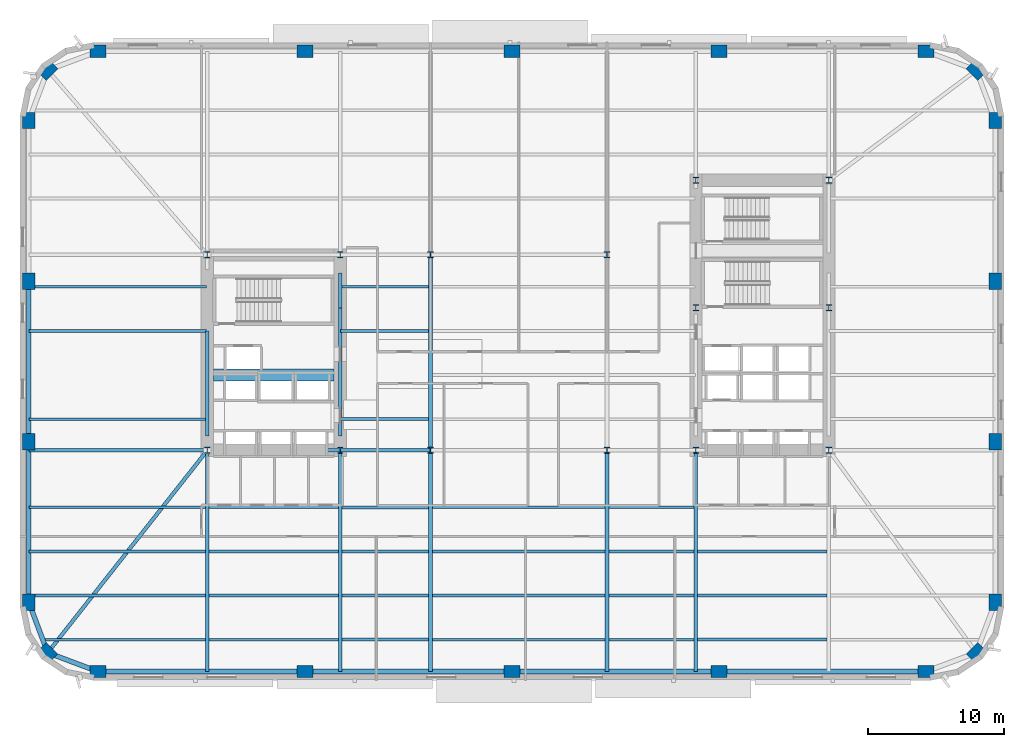
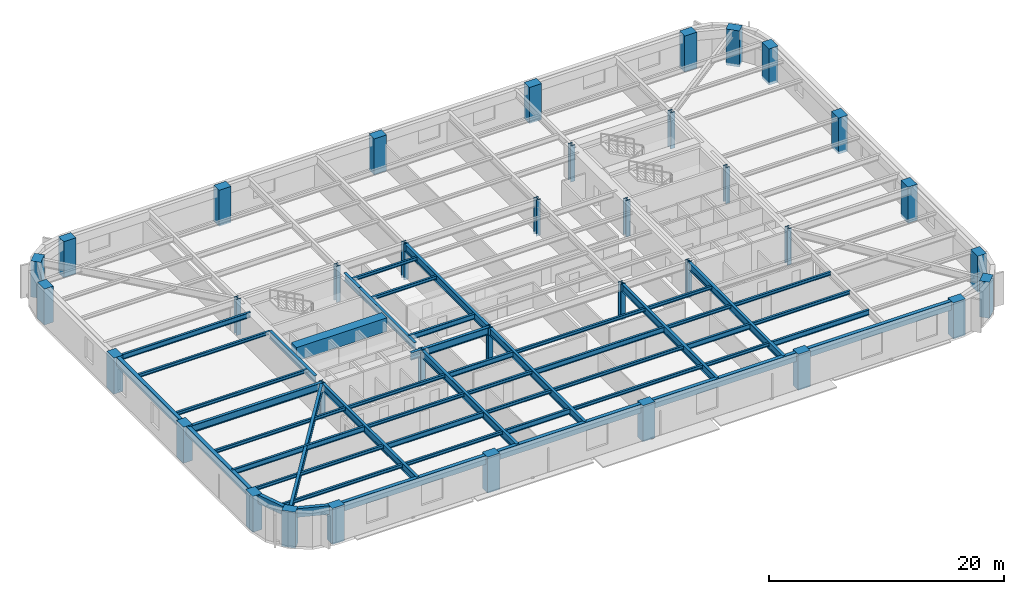
# One storey, part 1 of 15: 50 beams, 36 columns.
"""IFC4 building model written with IfcOpenShell, lengths in metres."""

from ifc_helpers import new_model, si_unit, direction, frame, origin, origin_2d, place, context, subcontext, project, spatial, rectangle, hollow_rectangle, i_section, extrude, material, material_profile, profile_set, type_object, element, save


model = new_model("IFC4")

# Units and contexts
model_context = context("Model", 3, precision=1e-05, world=origin(), true_north=direction((0.0, 1.0)))
body_context = subcontext(model_context, "Body", "Model", "MODEL_VIEW")
ifc_project = project(units=[si_unit("LENGTHUNIT", "METRE"), si_unit("AREAUNIT", "SQUARE_METRE"), si_unit("VOLUMEUNIT", "CUBIC_METRE"), si_unit("PLANEANGLEUNIT", "RADIAN"), si_unit("MASSUNIT", "GRAM", prefix="KILO")], contexts=[model_context])

# Site, building, storey
site_placement = place(None, origin())
site = spatial("IfcSite", under=ifc_project, at=site_placement, CompositionType="ELEMENT")
building_placement = place(site_placement, origin())
building = spatial("IfcBuilding", under=site, at=building_placement, Name="Kolvaren Arena Tower", CompositionType="ELEMENT")
storey_placement = place(building_placement, frame((0.0, 0.0, 83.25)))
storey = spatial("IfcBuildingStorey", under=building, at=storey_placement, Name="L18", CompositionType="ELEMENT", Elevation=83.25)

# Columns
ifc_material_1 = material(Name="Precast concrete C70/85", Category="concrete")
ifc_material_profile_1 = material_profile(ifc_material_1, rectangle(XDim=1.199951171875, YDim=0.89990234375, at=origin_2d()), Name="RC-1200x900")
ifc_profile_set_1 = profile_set([ifc_material_profile_1], Name="Precast concrete C70/85")
column_type_1 = type_object("IfcColumnType", Name="EXCOL-Z1", PredefinedType="COLUMN", material=ifc_profile_set_1)
for number, where, z_axis, x_axis, name in (
    (1, (6.5, 3.14990234375, -0.27001953125), (0.0, 0.0, 1.0), (1.0, 0.0, 0.0), "Exoskeleton Perimeter Column 01 (L18)"),
    (2, (21.75, 3.14990234375, -0.27001953125), (0.0, 0.0, 1.0), (1.0, 0.0, 0.0), "Exoskeleton Perimeter Column 02 (L18)"),
    (3, (37.0, 3.14990234375, -0.27001953125), (0.0, 0.0, 1.0), (1.0, 0.0, 0.0), "Exoskeleton Perimeter Column 03 (L18)"),
    (4, (52.25, 3.14990234375, -0.27001953125), (0.0, 0.0, 1.0), (1.0, 0.0, 0.0), "Exoskeleton Perimeter Column 04 (L18)"),
    (5, (67.5, 3.14990234375, -0.27001953125), (0.0, 0.0, 1.0), (1.0, 0.0, 0.0), "Exoskeleton Perimeter Column 05 (L18)"),
    (6, (71.208740234375, 4.541259765625, -0.27001953125), (0.0, 0.0, 1.0), (0.707106781187, 0.707106781187, 0.0), "Exoskeleton Perimeter Column 06 (L18)"),
    (7, (72.60009765625, 8.25, -0.27001953125), (0.0, 0.0, 1.0), (0.0, 1.0, 0.0), "Exoskeleton Perimeter Column 07 (L18)"),
    (8, (72.60009765625, 20.083251953125, -0.27001953125), (0.0, 0.0, 1.0), (0.0, 1.0, 0.0), "Exoskeleton Perimeter Column 08 (L18)"),
    (9, (72.60009765625, 31.916748046875, -0.27001953125), (0.0, 0.0, 1.0), (0.0, 1.0, 0.0), "Exoskeleton Perimeter Column 09 (L18)"),
    (10, (72.60009765625, 43.75, -0.27001953125), (0.0, 0.0, 1.0), (0.0, 1.0, 0.0), "Exoskeleton Perimeter Column 10 (L18)"),
    (11, (71.208740234375, 47.458740234375, -0.27001953125), (0.0, 0.0, 1.0), (-0.707106781187, 0.707106781187, 0.0), "Exoskeleton Perimeter Column 11 (L18)"),
    (12, (67.5, 48.85009765625, -0.27001953125), (0.0, 0.0, 1.0), (1.0, 0.0, 0.0), "Exoskeleton Perimeter Column 12 (L18)"),
    (13, (52.25, 48.85009765625, -0.27001953125), (0.0, 0.0, 1.0), (1.0, 0.0, 0.0), "Exoskeleton Perimeter Column 13 (L18)"),
    (14, (37.0, 48.85009765625, -0.27001953125), (0.0, 0.0, 1.0), (1.0, 0.0, 0.0), "Exoskeleton Perimeter Column 14 (L18)"),
    (15, (21.75, 48.85009765625, -0.27001953125), (0.0, 0.0, 1.0), (1.0, 0.0, 0.0), "Exoskeleton Perimeter Column 15 (L18)"),
    (16, (6.5, 48.85009765625, -0.27001953125), (0.0, 0.0, 1.0), (1.0, 0.0, 0.0), "Exoskeleton Perimeter Column 16 (L18)"),
    (17, (2.791259765625, 47.458740234375, -0.27001953125), (0.0, 0.0, 1.0), (0.707106781187, 0.707106781187, 0.0), "Exoskeleton Perimeter Column 17 (L18)"),
    (18, (1.39990234375, 43.75, -0.27001953125), (0.0, 0.0, 1.0), (0.0, 1.0, 0.0), "Exoskeleton Perimeter Column 18 (L18)"),
    (19, (1.39990234375, 31.916748046875, -0.27001953125), (0.0, 0.0, 1.0), (0.0, 1.0, 0.0), "Exoskeleton Perimeter Column 19 (L18)"),
    (20, (1.39990234375, 20.083251953125, -0.27001953125), (0.0, 0.0, 1.0), (0.0, 1.0, 0.0), "Exoskeleton Perimeter Column 20 (L18)"),
    (21, (1.39990234375, 8.25, -0.27001953125), (0.0, 0.0, 1.0), (0.0, 1.0, 0.0), "Exoskeleton Perimeter Column 21 (L18)"),
    (22, (2.791259765625, 4.541259765625, -0.27001953125), (0.0, 0.0, 1.0), (-0.707106781187, 0.707106781187, 0.0), "Exoskeleton Perimeter Column 22 (L18)"),
):
    element("IfcColumn", number, at=place(storey_placement, frame(where, z_axis=z_axis, x_axis=x_axis)), inside=storey, type_object=column_type_1, Name=name, PredefinedType="COLUMN", context=body_context, shape_type="SweptSolid", body=[
        extrude(rectangle(XDim=1.199951171875, YDim=0.89990234375, at=origin_2d()), origin(), (0.0, 0.0, 1.0), 3.75),
    ])
ifc_material_2 = material(Name="Steel ASTM A913 Grade 65", Category="steel")
ifc_material_profile_2 = material_profile(ifc_material_2, i_section(OverallWidth=0.424072265625, OverallDepth=0.47412109375, WebThickness=0.047607421875, FlangeThickness=0.076904296875, FilletRadius=0.02001953125, at=origin_2d()), Name="W360x634")
ifc_profile_set_2 = profile_set([ifc_material_profile_2], Name="Steel ASTM A913 Grade 65")
column_type_2 = type_object("IfcColumnType", Name="SCOL-Z1", PredefinedType="COLUMN", material=ifc_profile_set_2)
for number, where, z_axis, x_axis, name in (
    (23, (14.550048828125, 19.449951171875, -0.27001953125), (0.0, 0.0, 1.0), (1.0, 0.0, 0.0), "Core Boundary Column WC-SW (L18)"),
    (24, (24.35009765625, 19.449951171875, -0.27001953125), (0.0, 0.0, 1.0), (1.0, 0.0, 0.0), "Core Boundary Column WC-SE (L18)"),
    (25, (14.550048828125, 33.85009765625, -0.27001953125), (0.0, 0.0, 1.0), (1.0, 0.0, 0.0), "Core Boundary Column WC-NW (L18)"),
    (26, (24.35009765625, 33.85009765625, -0.27001953125), (0.0, 0.0, 1.0), (1.0, 0.0, 0.0), "Core Boundary Column WC-NE (L18)"),
    (27, (50.550048828125, 19.449951171875, -0.27001953125), (0.0, 0.0, 1.0), (1.0, 0.0, 0.0), "Core Boundary Column EC-SW (L18)"),
    (28, (60.35009765625, 19.449951171875, -0.27001953125), (0.0, 0.0, 1.0), (1.0, 0.0, 0.0), "Core Boundary Column EC-SE (L18)"),
    (29, (50.550048828125, 29.949951171875, -0.27001953125), (0.0, 0.0, 1.0), (1.0, 0.0, 0.0), "Core Boundary Column EC-MW (L18)"),
    (30, (60.35009765625, 29.949951171875, -0.27001953125), (0.0, 0.0, 1.0), (1.0, 0.0, 0.0), "Core Boundary Column EC-ME (L18)"),
    (31, (50.550048828125, 39.35009765625, -0.27001953125), (0.0, 0.0, 1.0), (1.0, 0.0, 0.0), "Core Boundary Column EC-NW (L18)"),
    (32, (60.35009765625, 39.35009765625, -0.27001953125), (0.0, 0.0, 1.0), (1.0, 0.0, 0.0), "Core Boundary Column EC-NE (L18)"),
    (33, (31.0, 19.449951171875, -0.27001953125), (0.0, 0.0, 1.0), (1.0, 0.0, 0.0), "Interior Gravity Column TC-SW (L18)"),
    (34, (44.0, 19.449951171875, -0.27001953125), (0.0, 0.0, 1.0), (1.0, 0.0, 0.0), "Interior Gravity Column TC-SE (L18)"),
    (35, (31.0, 33.85009765625, -0.27001953125), (0.0, 0.0, 1.0), (1.0, 0.0, 0.0), "Interior Gravity Column TC-NW (L18)"),
    (36, (44.0, 33.85009765625, -0.27001953125), (0.0, 0.0, 1.0), (1.0, 0.0, 0.0), "Interior Gravity Column TC-NE (L18)"),
):
    element("IfcColumn", number, at=place(storey_placement, frame(where, z_axis=z_axis, x_axis=x_axis)), inside=storey, type_object=column_type_2, Name=name, PredefinedType="COLUMN", context=body_context, shape_type="SweptSolid", body=[
        extrude(i_section(OverallWidth=0.424072265625, OverallDepth=0.47412109375, WebThickness=0.047607421875, FlangeThickness=0.076904296875, FilletRadius=0.02001953125, at=origin_2d()), origin(), (0.0, 0.0, 1.0), 3.75),
    ])

# Beams
ifc_material_3 = material(Name="Steel CSA G40.21 350W", Category="steel")
ifc_material_profile_3 = material_profile(ifc_material_3, i_section(OverallWidth=0.2119140625, OverallDepth=0.54296875, WebThickness=0.01318359375, FlangeThickness=0.0244140625, FilletRadius=0.013916015625, at=origin_2d()), Name="W530x150")
ifc_profile_set_3 = profile_set([ifc_material_profile_3], Name="Steel CSA G40.21 350W")
beam_type_1 = type_object("IfcBeamType", Name="BEAM-F1", PredefinedType="BEAM", material=ifc_profile_set_3)
beam_1_placement = place(storey_placement, frame((24.485107421875, 5.5, 3.20849609375), z_axis=(1.0, 0.0, 0.0), x_axis=(0.0, 1.0, 0.0)))
element("IfcBeam", 37, at=beam_1_placement, inside=storey, type_object=beam_type_1, Name="Composite Floor Beam (L18)", PredefinedType="BEAM", context=body_context, shape_type="SweptSolid", body=[
    extrude(i_section(OverallWidth=0.2119140625, OverallDepth=0.54296875, WebThickness=0.01318359375, FlangeThickness=0.0244140625, FilletRadius=0.013916015625, at=origin_2d()), origin(), (0.0, 0.0, 1.0), 6.3798828125),
])
for number, where, z_axis, x_axis, name in (
    (38, (50.68505859375, 5.5, 3.20849609375), (1.0, 0.0, 0.0), (0.0, 1.0, 0.0), "Composite Floor Beam (L18)"),
    (39, (14.68505859375, 8.75, 3.20849609375), (1.0, 0.0, 0.0), (0.0, 1.0, 0.0), "Composite Floor Beam (L18)"),
):
    element("IfcBeam", number, at=place(storey_placement, frame(where, z_axis=z_axis, x_axis=x_axis)), inside=storey, type_object=beam_type_1, Name=name, PredefinedType="BEAM", context=body_context, shape_type="SweptSolid", body=[
        extrude(i_section(OverallWidth=0.2119140625, OverallDepth=0.54296875, WebThickness=0.01318359375, FlangeThickness=0.0244140625, FilletRadius=0.013916015625, at=origin_2d()), origin(), (0.0, 0.0, 1.0), 9.530029296875),
    ])
beam_2_placement = place(storey_placement, frame((44.135009765625, 8.75, 3.20849609375), z_axis=(1.0, 0.0, 0.0), x_axis=(0.0, 1.0, 0.0)))
element("IfcBeam", 40, at=beam_2_placement, inside=storey, type_object=beam_type_1, Name="Composite Floor Beam (L18)", PredefinedType="BEAM", context=body_context, shape_type="SweptSolid", body=[
    extrude(i_section(OverallWidth=0.2119140625, OverallDepth=0.54296875, WebThickness=0.01318359375, FlangeThickness=0.0244140625, FilletRadius=0.013916015625, at=origin_2d()), origin(), (0.0, 0.0, 1.0), 6.280029296875),
])
beam_3_placement = place(storey_placement, frame((1.39990234375, 12.0, 3.20849609375), z_axis=(1.0, 0.0, 0.0), x_axis=(0.0, 1.0, 0.0)))
element("IfcBeam", 41, at=beam_3_placement, inside=storey, type_object=beam_type_1, Name="Composite Floor Beam (L18)", PredefinedType="BEAM", context=body_context, shape_type="SweptSolid", body=[
    extrude(i_section(OverallWidth=0.2119140625, OverallDepth=0.54296875, WebThickness=0.01318359375, FlangeThickness=0.0244140625, FilletRadius=0.013916015625, at=origin_2d()), origin(), (0.0, 0.0, 1.0), 13.01513671875),
])
beam_4_placement = place(storey_placement, frame((31.135009765625, 12.0, 3.20849609375), z_axis=(1.0, 0.0, 0.0), x_axis=(0.0, 1.0, 0.0)))
element("IfcBeam", 42, at=beam_4_placement, inside=storey, type_object=beam_type_1, Name="Composite Floor Beam (L18)", PredefinedType="BEAM", context=body_context, shape_type="SweptSolid", body=[
    extrude(i_section(OverallWidth=0.2119140625, OverallDepth=0.54296875, WebThickness=0.01318359375, FlangeThickness=0.0244140625, FilletRadius=0.013916015625, at=origin_2d()), origin(), (0.0, 0.0, 1.0), 12.72998046875),
])
beam_5_placement = place(storey_placement, frame((24.485107421875, 15.25, 3.20849609375), z_axis=(1.0, 0.0, 0.0), x_axis=(0.0, 1.0, 0.0)))
element("IfcBeam", 43, at=beam_5_placement, inside=storey, type_object=beam_type_1, Name="Composite Floor Beam (L18)", PredefinedType="BEAM", context=body_context, shape_type="SweptSolid", body=[
    extrude(i_section(OverallWidth=0.2119140625, OverallDepth=0.54296875, WebThickness=0.01318359375, FlangeThickness=0.0244140625, FilletRadius=0.013916015625, at=origin_2d()), origin(), (0.0, 0.0, 1.0), 6.3798828125),
])
beam_6_placement = place(storey_placement, frame((24.3701171875, 21.75, 3.20849609375), z_axis=(1.0, 0.0, 0.0), x_axis=(0.0, 1.0, 0.0)))
element("IfcBeam", 44, at=beam_6_placement, inside=storey, type_object=beam_type_1, Name="Composite Floor Beam (L18)", PredefinedType="BEAM", context=body_context, shape_type="SweptSolid", body=[
    extrude(i_section(OverallWidth=0.2119140625, OverallDepth=0.54296875, WebThickness=0.01318359375, FlangeThickness=0.0244140625, FilletRadius=0.013916015625, at=origin_2d()), origin(), (0.0, 0.0, 1.0), 6.494873046875),
])
beam_7_placement = place(storey_placement, frame((1.39990234375, 31.5, 3.20849609375), z_axis=(1.0, 0.0, 0.0), x_axis=(0.0, 1.0, 0.0)))
element("IfcBeam", 45, at=beam_7_placement, inside=storey, type_object=beam_type_1, Name="Composite Floor Beam (L18)", PredefinedType="BEAM", context=body_context, shape_type="SweptSolid", body=[
    extrude(i_section(OverallWidth=0.2119140625, OverallDepth=0.54296875, WebThickness=0.01318359375, FlangeThickness=0.0244140625, FilletRadius=0.013916015625, at=origin_2d()), origin(), (0.0, 0.0, 1.0), 13.080078125),
])
ifc_material_4 = material(Name="Concrete 75 MPa", Category="concrete")
ifc_material_profile_4 = material_profile(ifc_material_4, rectangle(XDim=0.89990234375, YDim=1.39990234375, at=origin_2d()), Name="RC-900x1400")
ifc_profile_set_4 = profile_set([ifc_material_profile_4], Name="Concrete 75 MPa")
beam_type_2 = type_object("IfcBeamType", Name="CB-CORE-1", PredefinedType="BEAM", material=ifc_profile_set_4)
beam_8_placement = place(storey_placement, frame((15.0, 25.0, 3.050048828125), z_axis=(1.0, 0.0, 0.0), x_axis=(0.0, 1.0, 0.0)))
element("IfcBeam", 46, at=beam_8_placement, inside=storey, type_object=beam_type_2, Name="West Core Coupling Beam (L18)", PredefinedType="BEAM", context=body_context, shape_type="SweptSolid", body=[
    extrude(rectangle(XDim=0.89990234375, YDim=1.39990234375, at=origin_2d()), origin(), (0.0, 0.0, 1.0), 8.89990234375),
])
ifc_material_profile_5 = material_profile(ifc_material_3, i_section(OverallWidth=0.27001953125, OverallDepth=0.77294921875, WebThickness=0.019287109375, FlangeThickness=0.033447265625, FilletRadius=0.01806640625, at=origin_2d()), Name="W760x257")
ifc_profile_set_5 = profile_set([ifc_material_profile_5], Name="Steel CSA G40.21 350W")
beam_type_3 = type_object("IfcBeamType", Name="GIRD-T1", PredefinedType="BEAM", material=ifc_profile_set_5)
beam_9_placement = place(storey_placement, frame((2.791259765625, 4.541259765625, 3.093505859375), z_axis=(0.61927986086, 0.785170334343, 0.0), x_axis=(-0.785170334343, 0.61927986086, 0.0)))
element("IfcBeam", 47, at=beam_9_placement, inside=storey, type_object=beam_type_3, Name="Corner Diagonal Tie Girder (L18)", PredefinedType="BEAM", context=body_context, shape_type="SweptSolid", body=[
    extrude(i_section(OverallWidth=0.27001953125, OverallDepth=0.77294921875, WebThickness=0.019287109375, FlangeThickness=0.033447265625, FilletRadius=0.01806640625, at=origin_2d()), origin(), (0.0, 0.0, 1.0), 18.98779296875),
])
beam_10_placement = place(storey_placement, frame((1.39990234375, 19.449951171875, 3.093505859375), z_axis=(1.0, 0.0, 0.0), x_axis=(0.0, 1.0, 0.0)))
element("IfcBeam", 48, at=beam_10_placement, inside=storey, type_object=beam_type_3, Name="Primary Floor Girder (L18)", PredefinedType="BEAM", context=body_context, shape_type="SweptSolid", body=[
    extrude(i_section(OverallWidth=0.27001953125, OverallDepth=0.77294921875, WebThickness=0.019287109375, FlangeThickness=0.033447265625, FilletRadius=0.01806640625, at=origin_2d()), origin(), (0.0, 0.0, 1.0), 13.150146484375),
])
beam_11_placement = place(storey_placement, frame((23.2451171875, 19.449951171875, 3.093505859375), z_axis=(1.0, 0.0, 0.0), x_axis=(0.0, 1.0, 0.0)))
element("IfcBeam", 49, at=beam_11_placement, inside=storey, type_object=beam_type_3, Name="Primary Floor Girder (L18)", PredefinedType="BEAM", context=body_context, shape_type="SweptSolid", body=[
    extrude(i_section(OverallWidth=0.27001953125, OverallDepth=0.77294921875, WebThickness=0.019287109375, FlangeThickness=0.033447265625, FilletRadius=0.01806640625, at=origin_2d()), origin(), (0.0, 0.0, 1.0), 7.7548828125),
])
beam_12_placement = place(storey_placement, frame((14.550048828125, 3.14990234375, 3.093505859375), z_axis=(0.0, 1.0, 0.0), x_axis=(-1.0, 0.0, 0.0)))
element("IfcBeam", 50, at=beam_12_placement, inside=storey, type_object=beam_type_3, Name="Primary Floor Girder (L18)", PredefinedType="BEAM", context=body_context, shape_type="SweptSolid", body=[
    extrude(i_section(OverallWidth=0.27001953125, OverallDepth=0.77294921875, WebThickness=0.019287109375, FlangeThickness=0.033447265625, FilletRadius=0.01806640625, at=origin_2d()), origin(), (0.0, 0.0, 1.0), 16.300048828125),
])
beam_13_placement = place(storey_placement, frame((14.550048828125, 20.5, 3.093505859375), z_axis=(0.0, 1.0, 0.0), x_axis=(-1.0, 0.0, 0.0)))
element("IfcBeam", 51, at=beam_13_placement, inside=storey, type_object=beam_type_3, Name="Primary Floor Girder (L18)", PredefinedType="BEAM", context=body_context, shape_type="SweptSolid", body=[
    extrude(i_section(OverallWidth=0.27001953125, OverallDepth=0.77294921875, WebThickness=0.019287109375, FlangeThickness=0.033447265625, FilletRadius=0.01806640625, at=origin_2d()), origin(), (0.0, 0.0, 1.0), 7.739990234375),
])
beam_14_placement = place(storey_placement, frame((24.35009765625, 3.14990234375, 3.093505859375), z_axis=(0.0, 1.0, 0.0), x_axis=(-1.0, 0.0, 0.0)))
element("IfcBeam", 52, at=beam_14_placement, inside=storey, type_object=beam_type_3, Name="Primary Floor Girder (L18)", PredefinedType="BEAM", context=body_context, shape_type="SweptSolid", body=[
    extrude(i_section(OverallWidth=0.27001953125, OverallDepth=0.77294921875, WebThickness=0.019287109375, FlangeThickness=0.033447265625, FilletRadius=0.01806640625, at=origin_2d()), origin(), (0.0, 0.0, 1.0), 16.300048828125),
])
beam_15_placement = place(storey_placement, frame((24.35009765625, 20.5, 3.093505859375), z_axis=(0.0, 1.0, 0.0), x_axis=(-1.0, 0.0, 0.0)))
element("IfcBeam", 53, at=beam_15_placement, inside=storey, type_object=beam_type_3, Name="Primary Floor Girder (L18)", PredefinedType="BEAM", context=body_context, shape_type="SweptSolid", body=[
    extrude(i_section(OverallWidth=0.27001953125, OverallDepth=0.77294921875, WebThickness=0.019287109375, FlangeThickness=0.033447265625, FilletRadius=0.01806640625, at=origin_2d()), origin(), (0.0, 0.0, 1.0), 9.449951171875),
])
beam_16_placement = place(storey_placement, frame((24.35009765625, 29.949951171875, 3.093505859375), z_axis=(0.0, 1.0, 0.0), x_axis=(-1.0, 0.0, 0.0)))
element("IfcBeam", 54, at=beam_16_placement, inside=storey, type_object=beam_type_3, Name="Primary Floor Girder (L18)", PredefinedType="BEAM", context=body_context, shape_type="SweptSolid", body=[
    extrude(i_section(OverallWidth=0.27001953125, OverallDepth=0.77294921875, WebThickness=0.019287109375, FlangeThickness=0.033447265625, FilletRadius=0.01806640625, at=origin_2d()), origin(), (0.0, 0.0, 1.0), 2.550048828125),
])
beam_17_placement = place(storey_placement, frame((31.0, 3.14990234375, 3.093505859375), z_axis=(0.0, 1.0, 0.0), x_axis=(-1.0, 0.0, 0.0)))
element("IfcBeam", 55, at=beam_17_placement, inside=storey, type_object=beam_type_3, Name="Primary Floor Girder (L18)", PredefinedType="BEAM", context=body_context, shape_type="SweptSolid", body=[
    extrude(i_section(OverallWidth=0.27001953125, OverallDepth=0.77294921875, WebThickness=0.019287109375, FlangeThickness=0.033447265625, FilletRadius=0.01806640625, at=origin_2d()), origin(), (0.0, 0.0, 1.0), 16.300048828125),
])
beam_18_placement = place(storey_placement, frame((31.0, 19.449951171875, 3.093505859375), z_axis=(0.0, 1.0, 0.0), x_axis=(-1.0, 0.0, 0.0)))
element("IfcBeam", 56, at=beam_18_placement, inside=storey, type_object=beam_type_3, Name="Primary Floor Girder (L18)", PredefinedType="BEAM", context=body_context, shape_type="SweptSolid", body=[
    extrude(i_section(OverallWidth=0.27001953125, OverallDepth=0.77294921875, WebThickness=0.019287109375, FlangeThickness=0.033447265625, FilletRadius=0.01806640625, at=origin_2d()), origin(), (0.0, 0.0, 1.0), 14.400146484375),
])
for number, where, z_axis, x_axis, name in (
    (57, (44.0, 3.14990234375, 3.093505859375), (0.0, 1.0, 0.0), (-1.0, 0.0, 0.0), "Primary Floor Girder (L18)"),
    (58, (50.550048828125, 3.14990234375, 3.093505859375), (0.0, 1.0, 0.0), (-1.0, 0.0, 0.0), "Primary Floor Girder (L18)"),
):
    element("IfcBeam", number, at=place(storey_placement, frame(where, z_axis=z_axis, x_axis=x_axis)), inside=storey, type_object=beam_type_3, Name=name, PredefinedType="BEAM", context=body_context, shape_type="SweptSolid", body=[
        extrude(i_section(OverallWidth=0.27001953125, OverallDepth=0.77294921875, WebThickness=0.019287109375, FlangeThickness=0.033447265625, FilletRadius=0.01806640625, at=origin_2d()), origin(), (0.0, 0.0, 1.0), 16.300048828125),
    ])
ifc_material_profile_6 = material_profile(ifc_material_3, i_section(OverallWidth=0.202880859375, OverallDepth=0.346923828125, WebThickness=0.0078125, FlangeThickness=0.013427734375, FilletRadius=0.010986328125, at=origin_2d()), Name="W360x64")
ifc_profile_set_6 = profile_set([ifc_material_profile_6], Name="Steel CSA G40.21 350W")
beam_type_4 = type_object("IfcBeamType", Name="JOIST-01", PredefinedType="JOIST", material=ifc_profile_set_6)
beam_19_placement = place(storey_placement, frame((2.431396484375, 5.5, 3.306396484375), z_axis=(1.0, 0.0, 0.0), x_axis=(0.0, 1.0, 0.0)))
element("IfcBeam", 59, at=beam_19_placement, inside=storey, type_object=beam_type_4, Name="Composite Floor Joist (L18)", PredefinedType="JOIST", context=body_context, shape_type="SweptSolid", body=[
    extrude(i_section(OverallWidth=0.202880859375, OverallDepth=0.346923828125, WebThickness=0.0078125, FlangeThickness=0.013427734375, FilletRadius=0.010986328125, at=origin_2d()), origin(), (0.0, 0.0, 1.0), 11.983642578125),
])
beam_20_placement = place(storey_placement, frame((14.68505859375, 5.5, 3.306396484375), z_axis=(1.0, 0.0, 0.0), x_axis=(0.0, 1.0, 0.0)))
element("IfcBeam", 60, at=beam_20_placement, inside=storey, type_object=beam_type_4, Name="Composite Floor Joist (L18)", PredefinedType="JOIST", context=body_context, shape_type="SweptSolid", body=[
    extrude(i_section(OverallWidth=0.202880859375, OverallDepth=0.346923828125, WebThickness=0.0078125, FlangeThickness=0.013427734375, FilletRadius=0.010986328125, at=origin_2d()), origin(), (0.0, 0.0, 1.0), 9.530029296875),
])
beam_21_placement = place(storey_placement, frame((31.135009765625, 5.5, 3.306396484375), z_axis=(1.0, 0.0, 0.0), x_axis=(0.0, 1.0, 0.0)))
element("IfcBeam", 61, at=beam_21_placement, inside=storey, type_object=beam_type_4, Name="Composite Floor Joist (L18)", PredefinedType="JOIST", context=body_context, shape_type="SweptSolid", body=[
    extrude(i_section(OverallWidth=0.202880859375, OverallDepth=0.346923828125, WebThickness=0.0078125, FlangeThickness=0.013427734375, FilletRadius=0.010986328125, at=origin_2d()), origin(), (0.0, 0.0, 1.0), 12.72998046875),
])
beam_22_placement = place(storey_placement, frame((44.135009765625, 5.5, 3.306396484375), z_axis=(1.0, 0.0, 0.0), x_axis=(0.0, 1.0, 0.0)))
element("IfcBeam", 62, at=beam_22_placement, inside=storey, type_object=beam_type_4, Name="Composite Floor Joist (L18)", PredefinedType="JOIST", context=body_context, shape_type="SweptSolid", body=[
    extrude(i_section(OverallWidth=0.202880859375, OverallDepth=0.346923828125, WebThickness=0.0078125, FlangeThickness=0.013427734375, FilletRadius=0.010986328125, at=origin_2d()), origin(), (0.0, 0.0, 1.0), 6.280029296875),
])
beam_23_placement = place(storey_placement, frame((1.39990234375, 8.75, 3.306396484375), z_axis=(1.0, 0.0, 0.0), x_axis=(0.0, 1.0, 0.0)))
element("IfcBeam", 63, at=beam_23_placement, inside=storey, type_object=beam_type_4, Name="Composite Floor Joist (L18)", PredefinedType="JOIST", context=body_context, shape_type="SweptSolid", body=[
    extrude(i_section(OverallWidth=0.202880859375, OverallDepth=0.346923828125, WebThickness=0.0078125, FlangeThickness=0.013427734375, FilletRadius=0.010986328125, at=origin_2d()), origin(), (0.0, 0.0, 1.0), 13.01513671875),
])
beam_24_placement = place(storey_placement, frame((24.485107421875, 8.75, 3.306396484375), z_axis=(1.0, 0.0, 0.0), x_axis=(0.0, 1.0, 0.0)))
element("IfcBeam", 64, at=beam_24_placement, inside=storey, type_object=beam_type_4, Name="Composite Floor Joist (L18)", PredefinedType="JOIST", context=body_context, shape_type="SweptSolid", body=[
    extrude(i_section(OverallWidth=0.202880859375, OverallDepth=0.346923828125, WebThickness=0.0078125, FlangeThickness=0.013427734375, FilletRadius=0.010986328125, at=origin_2d()), origin(), (0.0, 0.0, 1.0), 6.3798828125),
])
beam_25_placement = place(storey_placement, frame((31.135009765625, 8.75, 3.306396484375), z_axis=(1.0, 0.0, 0.0), x_axis=(0.0, 1.0, 0.0)))
element("IfcBeam", 65, at=beam_25_placement, inside=storey, type_object=beam_type_4, Name="Composite Floor Joist (L18)", PredefinedType="JOIST", context=body_context, shape_type="SweptSolid", body=[
    extrude(i_section(OverallWidth=0.202880859375, OverallDepth=0.346923828125, WebThickness=0.0078125, FlangeThickness=0.013427734375, FilletRadius=0.010986328125, at=origin_2d()), origin(), (0.0, 0.0, 1.0), 12.72998046875),
])
for number, where, z_axis, x_axis, name in (
    (66, (50.68505859375, 8.75, 3.306396484375), (1.0, 0.0, 0.0), (0.0, 1.0, 0.0), "Composite Floor Joist (L18)"),
    (67, (14.68505859375, 12.0, 3.306396484375), (1.0, 0.0, 0.0), (0.0, 1.0, 0.0), "Composite Floor Joist (L18)"),
):
    element("IfcBeam", number, at=place(storey_placement, frame(where, z_axis=z_axis, x_axis=x_axis)), inside=storey, type_object=beam_type_4, Name=name, PredefinedType="JOIST", context=body_context, shape_type="SweptSolid", body=[
        extrude(i_section(OverallWidth=0.202880859375, OverallDepth=0.346923828125, WebThickness=0.0078125, FlangeThickness=0.013427734375, FilletRadius=0.010986328125, at=origin_2d()), origin(), (0.0, 0.0, 1.0), 9.530029296875),
    ])
beam_26_placement = place(storey_placement, frame((24.485107421875, 12.0, 3.306396484375), z_axis=(1.0, 0.0, 0.0), x_axis=(0.0, 1.0, 0.0)))
element("IfcBeam", 68, at=beam_26_placement, inside=storey, type_object=beam_type_4, Name="Composite Floor Joist (L18)", PredefinedType="JOIST", context=body_context, shape_type="SweptSolid", body=[
    extrude(i_section(OverallWidth=0.202880859375, OverallDepth=0.346923828125, WebThickness=0.0078125, FlangeThickness=0.013427734375, FilletRadius=0.010986328125, at=origin_2d()), origin(), (0.0, 0.0, 1.0), 6.3798828125),
])
beam_27_placement = place(storey_placement, frame((44.135009765625, 12.0, 3.306396484375), z_axis=(1.0, 0.0, 0.0), x_axis=(0.0, 1.0, 0.0)))
element("IfcBeam", 69, at=beam_27_placement, inside=storey, type_object=beam_type_4, Name="Composite Floor Joist (L18)", PredefinedType="JOIST", context=body_context, shape_type="SweptSolid", body=[
    extrude(i_section(OverallWidth=0.202880859375, OverallDepth=0.346923828125, WebThickness=0.0078125, FlangeThickness=0.013427734375, FilletRadius=0.010986328125, at=origin_2d()), origin(), (0.0, 0.0, 1.0), 6.280029296875),
])
beam_28_placement = place(storey_placement, frame((50.68505859375, 12.0, 3.306396484375), z_axis=(1.0, 0.0, 0.0), x_axis=(0.0, 1.0, 0.0)))
element("IfcBeam", 70, at=beam_28_placement, inside=storey, type_object=beam_type_4, Name="Composite Floor Joist (L18)", PredefinedType="JOIST", context=body_context, shape_type="SweptSolid", body=[
    extrude(i_section(OverallWidth=0.202880859375, OverallDepth=0.346923828125, WebThickness=0.0078125, FlangeThickness=0.013427734375, FilletRadius=0.010986328125, at=origin_2d()), origin(), (0.0, 0.0, 1.0), 9.530029296875),
])
beam_29_placement = place(storey_placement, frame((1.39990234375, 15.25, 3.306396484375), z_axis=(1.0, 0.0, 0.0), x_axis=(0.0, 1.0, 0.0)))
element("IfcBeam", 71, at=beam_29_placement, inside=storey, type_object=beam_type_4, Name="Composite Floor Joist (L18)", PredefinedType="JOIST", context=body_context, shape_type="SweptSolid", body=[
    extrude(i_section(OverallWidth=0.202880859375, OverallDepth=0.346923828125, WebThickness=0.0078125, FlangeThickness=0.013427734375, FilletRadius=0.010986328125, at=origin_2d()), origin(), (0.0, 0.0, 1.0), 13.01513671875),
])
beam_30_placement = place(storey_placement, frame((14.68505859375, 15.25, 3.306396484375), z_axis=(1.0, 0.0, 0.0), x_axis=(0.0, 1.0, 0.0)))
element("IfcBeam", 72, at=beam_30_placement, inside=storey, type_object=beam_type_4, Name="Composite Floor Joist (L18)", PredefinedType="JOIST", context=body_context, shape_type="SweptSolid", body=[
    extrude(i_section(OverallWidth=0.202880859375, OverallDepth=0.346923828125, WebThickness=0.0078125, FlangeThickness=0.013427734375, FilletRadius=0.010986328125, at=origin_2d()), origin(), (0.0, 0.0, 1.0), 9.530029296875),
])
beam_31_placement = place(storey_placement, frame((31.135009765625, 15.25, 3.306396484375), z_axis=(1.0, 0.0, 0.0), x_axis=(0.0, 1.0, 0.0)))
element("IfcBeam", 73, at=beam_31_placement, inside=storey, type_object=beam_type_4, Name="Composite Floor Joist (L18)", PredefinedType="JOIST", context=body_context, shape_type="SweptSolid", body=[
    extrude(i_section(OverallWidth=0.202880859375, OverallDepth=0.346923828125, WebThickness=0.0078125, FlangeThickness=0.013427734375, FilletRadius=0.010986328125, at=origin_2d()), origin(), (0.0, 0.0, 1.0), 12.72998046875),
])
beam_32_placement = place(storey_placement, frame((44.135009765625, 15.25, 3.306396484375), z_axis=(1.0, 0.0, 0.0), x_axis=(0.0, 1.0, 0.0)))
element("IfcBeam", 74, at=beam_32_placement, inside=storey, type_object=beam_type_4, Name="Composite Floor Joist (L18)", PredefinedType="JOIST", context=body_context, shape_type="SweptSolid", body=[
    extrude(i_section(OverallWidth=0.202880859375, OverallDepth=0.346923828125, WebThickness=0.0078125, FlangeThickness=0.013427734375, FilletRadius=0.010986328125, at=origin_2d()), origin(), (0.0, 0.0, 1.0), 6.280029296875),
])
beam_33_placement = place(storey_placement, frame((1.39990234375, 21.75, 3.306396484375), z_axis=(1.0, 0.0, 0.0), x_axis=(0.0, 1.0, 0.0)))
element("IfcBeam", 75, at=beam_33_placement, inside=storey, type_object=beam_type_4, Name="Composite Floor Joist (L18)", PredefinedType="JOIST", context=body_context, shape_type="SweptSolid", body=[
    extrude(i_section(OverallWidth=0.202880859375, OverallDepth=0.346923828125, WebThickness=0.0078125, FlangeThickness=0.013427734375, FilletRadius=0.010986328125, at=origin_2d()), origin(), (0.0, 0.0, 1.0), 13.130126953125),
])
beam_34_placement = place(storey_placement, frame((1.39990234375, 28.25, 3.306396484375), z_axis=(1.0, 0.0, 0.0), x_axis=(0.0, 1.0, 0.0)))
element("IfcBeam", 76, at=beam_34_placement, inside=storey, type_object=beam_type_4, Name="Composite Floor Joist (L18)", PredefinedType="JOIST", context=body_context, shape_type="SweptSolid", body=[
    extrude(i_section(OverallWidth=0.202880859375, OverallDepth=0.346923828125, WebThickness=0.0078125, FlangeThickness=0.013427734375, FilletRadius=0.010986328125, at=origin_2d()), origin(), (0.0, 0.0, 1.0), 13.080078125),
])
for number, where, z_axis, x_axis, name in (
    (77, (24.3701171875, 28.25, 3.306396484375), (1.0, 0.0, 0.0), (0.0, 1.0, 0.0), "Composite Floor Joist (L18)"),
    (78, (24.3701171875, 31.5, 3.306396484375), (1.0, 0.0, 0.0), (0.0, 1.0, 0.0), "Composite Floor Joist (L18)"),
):
    element("IfcBeam", number, at=place(storey_placement, frame(where, z_axis=z_axis, x_axis=x_axis)), inside=storey, type_object=beam_type_4, Name=name, PredefinedType="JOIST", context=body_context, shape_type="SweptSolid", body=[
        extrude(i_section(OverallWidth=0.202880859375, OverallDepth=0.346923828125, WebThickness=0.0078125, FlangeThickness=0.013427734375, FilletRadius=0.010986328125, at=origin_2d()), origin(), (0.0, 0.0, 1.0), 6.494873046875),
    ])
ifc_material_5 = material(Name="Steel CSA G40.21 350WT", Category="steel")
ifc_material_profile_7 = material_profile(ifc_material_5, hollow_rectangle(XDim=0.35009765625, YDim=0.89990234375, WallThickness=0.02001953125, at=origin_2d()), Name="HSS 900x350x20")
ifc_profile_set_7 = profile_set([ifc_material_profile_7], Name="Steel CSA G40.21 350WT")
beam_type_5 = type_object("IfcBeamType", Name="SPAND-01", PredefinedType="SPANDREL", material=ifc_profile_set_7)
for number, where, z_axis, x_axis, name in (
    (79, (6.5, 3.14990234375, 3.030029296875), (1.0, 0.0, 0.0), (0.0, 1.0, 0.0), "Perimeter Spandrel Beam (L18)"),
    (80, (21.75, 3.14990234375, 3.030029296875), (1.0, 0.0, 0.0), (0.0, 1.0, 0.0), "Perimeter Spandrel Beam (L18)"),
    (81, (37.0, 3.14990234375, 3.030029296875), (1.0, 0.0, 0.0), (0.0, 1.0, 0.0), "Perimeter Spandrel Beam (L18)"),
    (82, (52.25, 3.14990234375, 3.030029296875), (1.0, 0.0, 0.0), (0.0, 1.0, 0.0), "Perimeter Spandrel Beam (L18)"),
):
    element("IfcBeam", number, at=place(storey_placement, frame(where, z_axis=z_axis, x_axis=x_axis)), inside=storey, type_object=beam_type_5, Name=name, PredefinedType="SPANDREL", context=body_context, shape_type="SweptSolid", body=[
        extrude(hollow_rectangle(XDim=0.35009765625, YDim=0.89990234375, WallThickness=0.02001953125, at=origin_2d()), origin(), (0.0, 0.0, 1.0), 15.25),
    ])
beam_35_placement = place(storey_placement, frame((1.39990234375, 31.916748046875, 3.030029296875), z_axis=(0.0, -1.0, 0.0), x_axis=(1.0, 0.0, 0.0)))
element("IfcBeam", 83, at=beam_35_placement, inside=storey, type_object=beam_type_5, Name="Perimeter Spandrel Beam (L18)", PredefinedType="SPANDREL", context=body_context, shape_type="SweptSolid", body=[
    extrude(hollow_rectangle(XDim=0.35009765625, YDim=0.89990234375, WallThickness=0.02001953125, at=origin_2d()), origin(), (0.0, 0.0, 1.0), 11.83349609375),
])
beam_36_placement = place(storey_placement, frame((1.39990234375, 20.083251953125, 3.030029296875), z_axis=(0.0, -1.0, 0.0), x_axis=(1.0, 0.0, 0.0)))
element("IfcBeam", 84, at=beam_36_placement, inside=storey, type_object=beam_type_5, Name="Perimeter Spandrel Beam (L18)", PredefinedType="SPANDREL", context=body_context, shape_type="SweptSolid", body=[
    extrude(hollow_rectangle(XDim=0.35009765625, YDim=0.89990234375, WallThickness=0.02001953125, at=origin_2d()), origin(), (0.0, 0.0, 1.0), 11.833251953125),
])
for number, where, z_axis, x_axis, name in (
    (85, (1.39990234375, 8.25, 3.030029296875), (0.351251771955, -0.93628104365, 0.0), (0.93628104365, 0.351251771955, 0.0), "Perimeter Spandrel Beam (L18)"),
    (86, (2.791259765625, 4.541259765625, 3.030029296875), (0.93628104365, -0.351251771955, 0.0), (0.351251771955, 0.93628104365, 0.0), "Perimeter Spandrel Beam (L18)"),
):
    element("IfcBeam", number, at=place(storey_placement, frame(where, z_axis=z_axis, x_axis=x_axis)), inside=storey, type_object=beam_type_5, Name=name, PredefinedType="SPANDREL", context=body_context, shape_type="SweptSolid", body=[
        extrude(hollow_rectangle(XDim=0.35009765625, YDim=0.89990234375, WallThickness=0.02001953125, at=origin_2d()), origin(), (0.0, 0.0, 1.0), 3.961181640625),
    ])

save(model, "model.ifc")
